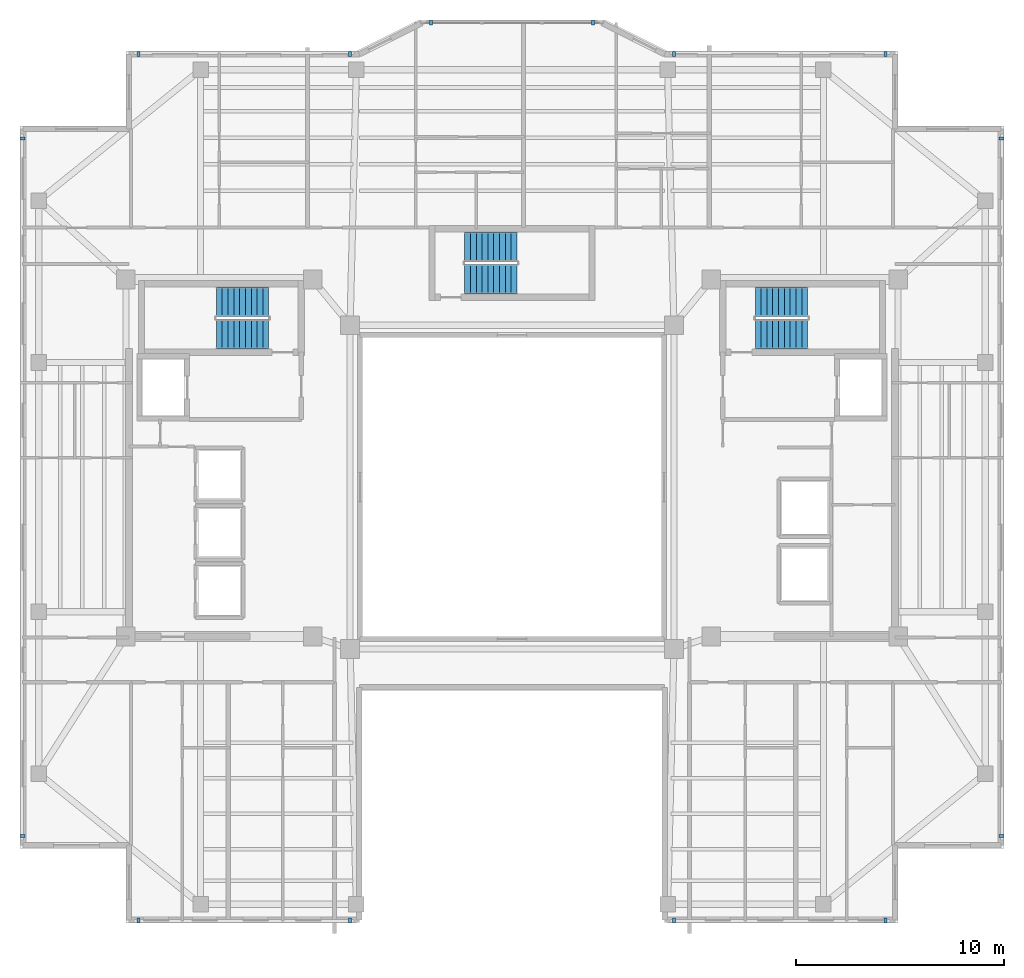
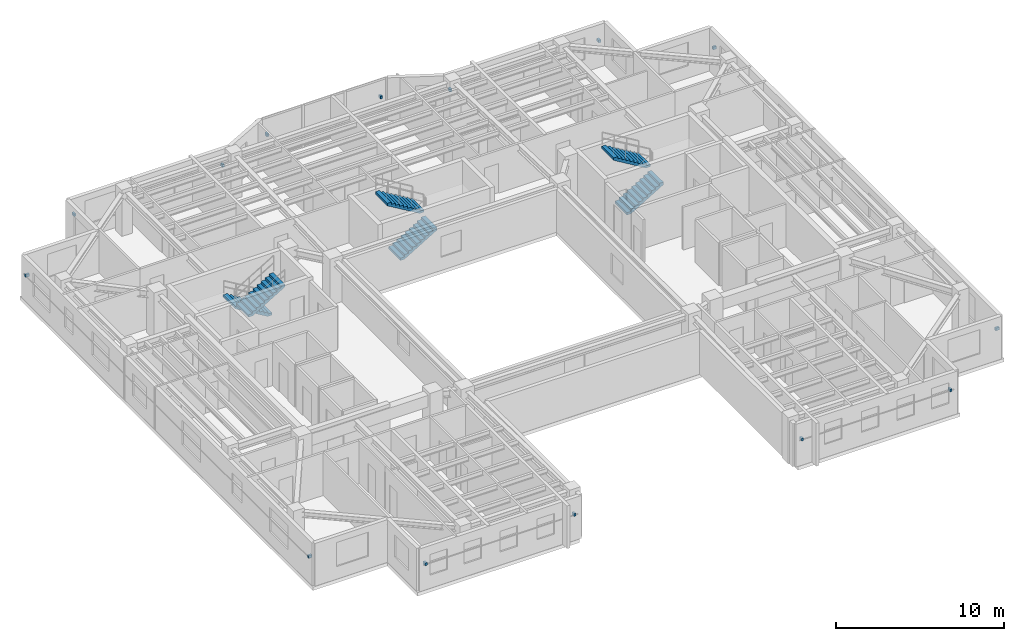
# One storey, part 9 of 12: 14 discrete accessories, 6 stair flights, 3 elements without a shape of their own.
"""IFC4 building model written with IfcOpenShell, lengths in metres."""

from ifc_helpers import new_model, si_unit, direction, frame, origin, origin_2d, place, context, subcontext, project, spatial, polyline, rectangle, outline, extrude, material, type_object, element, aggregate, save


model = new_model("IFC4")

# Units and contexts
model_context = context("Model", 3, precision=1e-05, world=origin(), true_north=direction((0.0, 1.0)))
body_context = subcontext(model_context, "Body", "Model", "MODEL_VIEW")
ifc_project = project(units=[si_unit("LENGTHUNIT", "METRE"), si_unit("AREAUNIT", "SQUARE_METRE"), si_unit("VOLUMEUNIT", "CUBIC_METRE"), si_unit("PLANEANGLEUNIT", "RADIAN"), si_unit("MASSUNIT", "GRAM", prefix="KILO")], contexts=[model_context])

# Site, building, storey
site_placement = place(None, origin())
site = spatial("IfcSite", under=ifc_project, at=site_placement, CompositionType="ELEMENT")
building_placement = place(site_placement, origin())
building = spatial("IfcBuilding", under=site, at=building_placement, Name="Tarnavaz Court Tower", CompositionType="ELEMENT")
storey_placement = place(building_placement, frame((0.0, 0.0, 207.0)))
storey = spatial("IfcBuildingStorey", under=building, at=storey_placement, Name="L56", CompositionType="ELEMENT", Elevation=207.0)

# Stair, stair flights
ifc_material_1 = material(Name="Concrete C40/50", Category="concrete")
stair_type = type_object("IfcStairType", Name="ST-TWR-20R", PredefinedType="HALF_TURN_STAIR", material=ifc_material_1)
stair_1_placement = place(storey_placement, origin())
stair_1 = element("IfcStair", 1, at=stair_1_placement, inside=storey, type_object=stair_type, Name="L56 West Core Pressurized Exit Stair ST-W1", PredefinedType="HALF_TURN_STAIR")
stair_flight_type = type_object("IfcStairFlightType", Name="SFL-RC-20R", PredefinedType="STRAIGHT", material=ifc_material_1)
stair_flight_1_placement = place(storey_placement, frame((-11.719970703125, 8.929931640625, 0.0), z_axis=(0.0, 0.0, 1.0), x_axis=(-1.0, 0.0, 0.0)))
stair_flight_1 = element("IfcStairFlight", 2, at=stair_flight_1_placement, type_object=stair_flight_type, Name="ST-W1 flight 1", NumberOfRisers=10, NumberOfTreads=9, PredefinedType="STRAIGHT", RiserHeight=0.1675, TreadLength=0.28, context=body_context, shape_type="SweptSolid", body=[
    extrude(outline(polyline([(0.0, 0.0), (0.0, 0.16748046875), (0.280029296875, 0.16748046875), (0.280029296875, 0.3349609375), (0.56005859375, 0.3349609375), (0.56005859375, 0.50244140625), (0.840087890625, 0.50244140625), (0.840087890625, 0.669921875), (1.1201171875, 0.669921875), (1.1201171875, 0.83740234375), (1.39990234375, 0.83740234375), (1.39990234375, 1.0048828125), (1.679931640625, 1.0048828125), (1.679931640625, 1.172607421875), (1.9599609375, 1.172607421875), (1.9599609375, 1.340087890625), (2.239990234375, 1.340087890625), (2.239990234375, 1.507568359375), (2.52001953125, 1.507568359375), (2.52001953125, 1.675048828125), (2.52001953125, 1.332763671875), (0.2919921875, 0.0), (0.0, 0.0)])), frame((0.0, 0.7099609375, 0.0), z_axis=(0.0, -1.0, 0.0), x_axis=(1.0, 0.0, 0.0)), (0.0, 0.0, 1.0), 1.419921875),
])
stair_flight_2_placement = place(storey_placement, frame((-14.239990234375, 7.360107421875, 1.675048828125), z_axis=(0.0, 0.0, 1.0), x_axis=(1.0, 0.0, 0.0)))
stair_flight_2 = element("IfcStairFlight", 3, at=stair_flight_2_placement, type_object=stair_flight_type, Name="ST-W1 flight 2", NumberOfRisers=10, NumberOfTreads=9, PredefinedType="STRAIGHT", RiserHeight=0.1675, TreadLength=0.28, context=body_context, shape_type="SweptSolid", body=[
    extrude(outline(polyline([(0.0, 0.0), (0.0, 0.16748046875), (0.280029296875, 0.16748046875), (0.280029296875, 0.3349609375), (0.56005859375, 0.3349609375), (0.56005859375, 0.50244140625), (0.840087890625, 0.50244140625), (0.840087890625, 0.669921875), (1.1201171875, 0.669921875), (1.1201171875, 0.83740234375), (1.39990234375, 0.83740234375), (1.39990234375, 1.0048828125), (1.679931640625, 1.0048828125), (1.679931640625, 1.172607421875), (1.9599609375, 1.172607421875), (1.9599609375, 1.340087890625), (2.239990234375, 1.340087890625), (2.239990234375, 1.507568359375), (2.52001953125, 1.507568359375), (2.52001953125, 1.675048828125), (2.52001953125, 1.332763671875), (0.2919921875, 0.0), (0.0, 0.0)])), frame((0.0, 0.7099609375, 0.0), z_axis=(0.0, -1.0, 0.0), x_axis=(1.0, 0.0, 0.0)), (0.0, 0.0, 1.0), 1.419921875),
])
aggregate(stair_1, [stair_flight_1, stair_flight_2])

stair_2_placement = place(storey_placement, origin())
stair_2 = element("IfcStair", 4, at=stair_2_placement, inside=storey, type_object=stair_type, Name="L56 East Core Pressurized Exit Stair ST-E1", PredefinedType="HALF_TURN_STAIR")
stair_flight_3_placement = place(storey_placement, frame((11.719970703125, 7.360107421875, 0.0), z_axis=(0.0, 0.0, 1.0), x_axis=(1.0, 0.0, 0.0)))
stair_flight_3 = element("IfcStairFlight", 5, at=stair_flight_3_placement, type_object=stair_flight_type, Name="ST-E1 flight 1", NumberOfRisers=10, NumberOfTreads=9, PredefinedType="STRAIGHT", RiserHeight=0.1675, TreadLength=0.28, context=body_context, shape_type="SweptSolid", body=[
    extrude(outline(polyline([(0.0, 0.0), (0.0, 0.16748046875), (0.280029296875, 0.16748046875), (0.280029296875, 0.3349609375), (0.56005859375, 0.3349609375), (0.56005859375, 0.50244140625), (0.840087890625, 0.50244140625), (0.840087890625, 0.669921875), (1.1201171875, 0.669921875), (1.1201171875, 0.83740234375), (1.39990234375, 0.83740234375), (1.39990234375, 1.0048828125), (1.679931640625, 1.0048828125), (1.679931640625, 1.172607421875), (1.9599609375, 1.172607421875), (1.9599609375, 1.340087890625), (2.239990234375, 1.340087890625), (2.239990234375, 1.507568359375), (2.52001953125, 1.507568359375), (2.52001953125, 1.675048828125), (2.52001953125, 1.332763671875), (0.2919921875, 0.0), (0.0, 0.0)])), frame((0.0, 0.7099609375, 0.0), z_axis=(0.0, -1.0, 0.0), x_axis=(1.0, 0.0, 0.0)), (0.0, 0.0, 1.0), 1.419921875),
])
stair_flight_4_placement = place(storey_placement, frame((14.239990234375, 8.929931640625, 1.675048828125), z_axis=(0.0, 0.0, 1.0), x_axis=(-1.0, 0.0, 0.0)))
stair_flight_4 = element("IfcStairFlight", 6, at=stair_flight_4_placement, type_object=stair_flight_type, Name="ST-E1 flight 2", NumberOfRisers=10, NumberOfTreads=9, PredefinedType="STRAIGHT", RiserHeight=0.1675, TreadLength=0.28, context=body_context, shape_type="SweptSolid", body=[
    extrude(outline(polyline([(0.0, 0.0), (0.0, 0.16748046875), (0.280029296875, 0.16748046875), (0.280029296875, 0.3349609375), (0.56005859375, 0.3349609375), (0.56005859375, 0.50244140625), (0.840087890625, 0.50244140625), (0.840087890625, 0.669921875), (1.1201171875, 0.669921875), (1.1201171875, 0.83740234375), (1.39990234375, 0.83740234375), (1.39990234375, 1.0048828125), (1.679931640625, 1.0048828125), (1.679931640625, 1.172607421875), (1.9599609375, 1.172607421875), (1.9599609375, 1.340087890625), (2.239990234375, 1.340087890625), (2.239990234375, 1.507568359375), (2.52001953125, 1.507568359375), (2.52001953125, 1.675048828125), (2.52001953125, 1.332763671875), (0.2919921875, 0.0), (0.0, 0.0)])), frame((0.0, 0.7099609375, 0.0), z_axis=(0.0, -1.0, 0.0), x_axis=(1.0, 0.0, 0.0)), (0.0, 0.0, 1.0), 1.419921875),
])
aggregate(stair_2, [stair_flight_3, stair_flight_4])

stair_3_placement = place(storey_placement, origin())
stair_3 = element("IfcStair", 7, at=stair_3_placement, inside=storey, type_object=stair_type, Name="L56 North Ring Pressurized Exit Stair ST-N1", PredefinedType="HALF_TURN_STAIR")
stair_flight_5_placement = place(storey_placement, frame((-2.280029296875, 10.010009765625, 0.0), z_axis=(0.0, 0.0, 1.0), x_axis=(1.0, 0.0, 0.0)))
stair_flight_5 = element("IfcStairFlight", 8, at=stair_flight_5_placement, type_object=stair_flight_type, Name="ST-N1 flight 1", NumberOfRisers=10, NumberOfTreads=9, PredefinedType="STRAIGHT", RiserHeight=0.1675, TreadLength=0.28, context=body_context, shape_type="SweptSolid", body=[
    extrude(outline(polyline([(0.0, 0.0), (0.0, 0.16748046875), (0.280029296875, 0.16748046875), (0.280029296875, 0.3349609375), (0.56005859375, 0.3349609375), (0.56005859375, 0.50244140625), (0.840087890625, 0.50244140625), (0.840087890625, 0.669921875), (1.1201171875, 0.669921875), (1.1201171875, 0.83740234375), (1.39990234375, 0.83740234375), (1.39990234375, 1.0048828125), (1.679931640625, 1.0048828125), (1.679931640625, 1.172607421875), (1.9599609375, 1.172607421875), (1.9599609375, 1.340087890625), (2.239990234375, 1.340087890625), (2.239990234375, 1.507568359375), (2.52001953125, 1.507568359375), (2.52001953125, 1.675048828125), (2.52001953125, 1.332763671875), (0.2919921875, 0.0), (0.0, 0.0)])), frame((0.0, 0.7099609375, 0.0), z_axis=(0.0, -1.0, 0.0), x_axis=(1.0, 0.0, 0.0)), (0.0, 0.0, 1.0), 1.419921875),
])
stair_flight_6_placement = place(storey_placement, frame((0.239990234375, 11.580078125, 1.675048828125), z_axis=(0.0, 0.0, 1.0), x_axis=(-1.0, 0.0, 0.0)))
stair_flight_6 = element("IfcStairFlight", 9, at=stair_flight_6_placement, type_object=stair_flight_type, Name="ST-N1 flight 2", NumberOfRisers=10, NumberOfTreads=9, PredefinedType="STRAIGHT", RiserHeight=0.1675, TreadLength=0.28, context=body_context, shape_type="SweptSolid", body=[
    extrude(outline(polyline([(0.0, 0.0), (0.0, 0.16748046875), (0.280029296875, 0.16748046875), (0.280029296875, 0.3349609375), (0.56005859375, 0.3349609375), (0.56005859375, 0.50244140625), (0.840087890625, 0.50244140625), (0.840087890625, 0.669921875), (1.1201171875, 0.669921875), (1.1201171875, 0.83740234375), (1.39990234375, 0.83740234375), (1.39990234375, 1.0048828125), (1.679931640625, 1.0048828125), (1.679931640625, 1.172607421875), (1.9599609375, 1.172607421875), (1.9599609375, 1.340087890625), (2.239990234375, 1.340087890625), (2.239990234375, 1.507568359375), (2.52001953125, 1.507568359375), (2.52001953125, 1.675048828125), (2.52001953125, 1.332763671875), (0.2919921875, 0.0), (0.0, 0.0)])), frame((0.0, 0.7099609375, 0.0), z_axis=(0.0, -1.0, 0.0), x_axis=(1.0, 0.0, 0.0)), (0.0, 0.0, 1.0), 1.419921875),
])
aggregate(stair_3, [stair_flight_5, stair_flight_6])

# Discrete accessories
ifc_material_2 = material(Name="Anodised Aluminium 6063-T6", Category="aluminium")
discrete_accessory_type = type_object("IfcDiscreteAccessoryType", Name="DA-BRKT-ALU", PredefinedType="BRACKET", material=ifc_material_2)
for number, where, z_axis, x_axis, name in (
    (10, (-23.570068359375, -16.800048828125, 1.75), (0.0, 0.0, 1.0), (0.0, 1.0, 0.0), "L56 Baguette Outrigger Bracket FBG02-1"),
    (11, (-23.570068359375, 16.800048828125, 1.75), (0.0, 0.0, 1.0), (0.0, 1.0, 0.0), "L56 Baguette Outrigger Bracket FBG02-2"),
    (12, (-18.0, 20.8701171875, 1.75), (0.0, 0.0, 1.0), (1.0, 0.0, 0.0), "L56 Baguette Outrigger Bracket FBG05-1"),
    (13, (-7.800048828125, 20.8701171875, 1.75), (0.0, 0.0, 1.0), (1.0, 0.0, 0.0), "L56 Baguette Outrigger Bracket FBG05-2"),
    (14, (-3.89990234375, 22.3701171875, 1.7001953125), (0.0, 0.0, 1.0), (1.0, 0.0, 0.0), "L56 Baguette Outrigger Bracket PBG7-1"),
    (15, (3.89990234375, 22.3701171875, 1.7001953125), (0.0, 0.0, 1.0), (1.0, 0.0, 0.0), "L56 Baguette Outrigger Bracket PBG7-2"),
    (16, (7.800048828125, 20.8701171875, 1.75), (0.0, 0.0, 1.0), (1.0, 0.0, 0.0), "L56 Baguette Outrigger Bracket FBG09-1"),
    (17, (18.0, 20.8701171875, 1.75), (0.0, 0.0, 1.0), (1.0, 0.0, 0.0), "L56 Baguette Outrigger Bracket FBG09-2"),
    (18, (23.570068359375, 16.800048828125, 1.75), (0.0, 0.0, 1.0), (0.0, -1.0, 0.0), "L56 Baguette Outrigger Bracket FBG12-1"),
    (19, (23.570068359375, -16.800048828125, 1.75), (0.0, 0.0, 1.0), (0.0, -1.0, 0.0), "L56 Baguette Outrigger Bracket FBG12-2"),
    (20, (18.0, -20.8701171875, 1.75), (0.0, 0.0, 1.0), (-1.0, 0.0, 0.0), "L56 Baguette Outrigger Bracket FBG15-1"),
    (21, (7.800048828125, -20.8701171875, 1.75), (0.0, 0.0, 1.0), (-1.0, 0.0, 0.0), "L56 Baguette Outrigger Bracket FBG15-2"),
    (22, (-7.800048828125, -20.8701171875, 1.75), (0.0, 0.0, 1.0), (-1.0, 0.0, 0.0), "L56 Baguette Outrigger Bracket FBG19-1"),
    (23, (-18.0, -20.8701171875, 1.75), (0.0, 0.0, 1.0), (-1.0, 0.0, 0.0), "L56 Baguette Outrigger Bracket FBG19-2"),
):
    element("IfcDiscreteAccessory", number, at=place(storey_placement, frame(where, z_axis=z_axis, x_axis=x_axis)), inside=storey, type_object=discrete_accessory_type, Name=name, PredefinedType="BRACKET", context=body_context, shape_type="SweptSolid", body=[
        extrude(rectangle(XDim=0.139892578125, YDim=0.239990234375, at=origin_2d()), origin(), (0.0, 0.0, 1.0), 0.199951171875),
    ])

save(model, "model.ifc")
